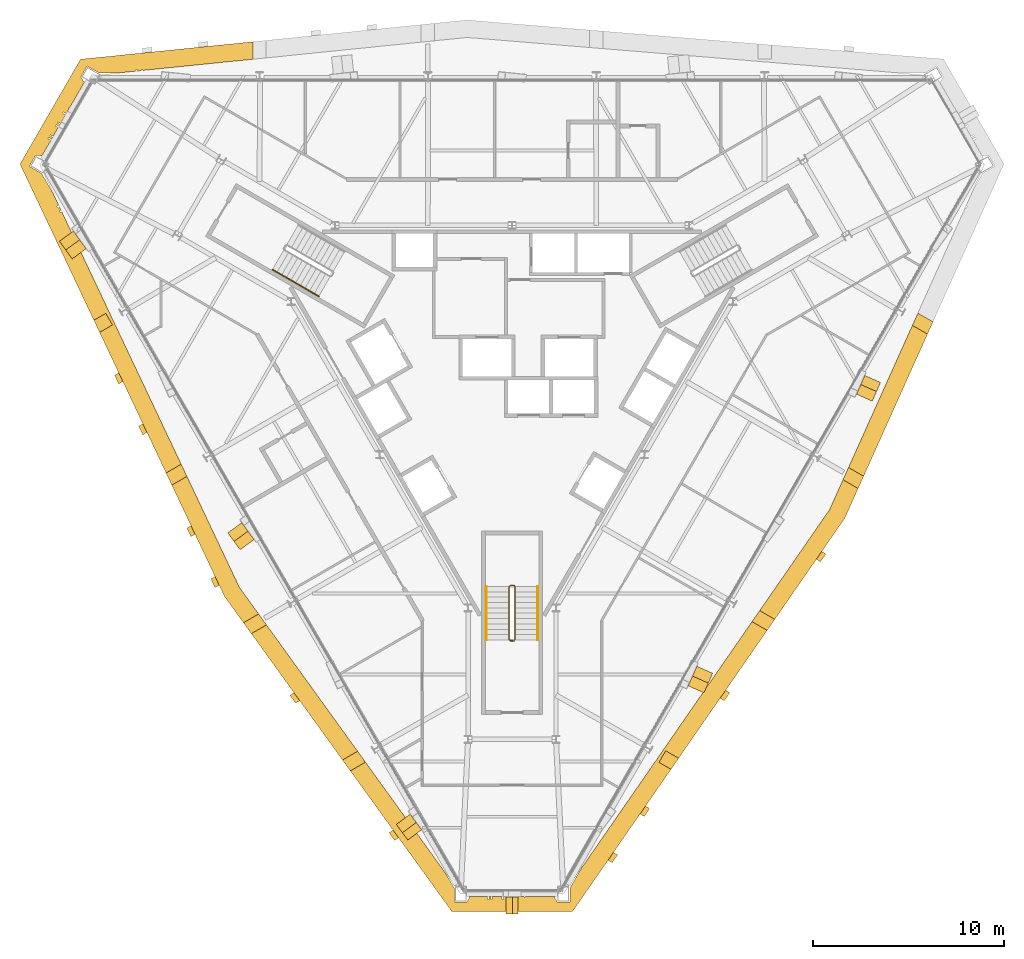
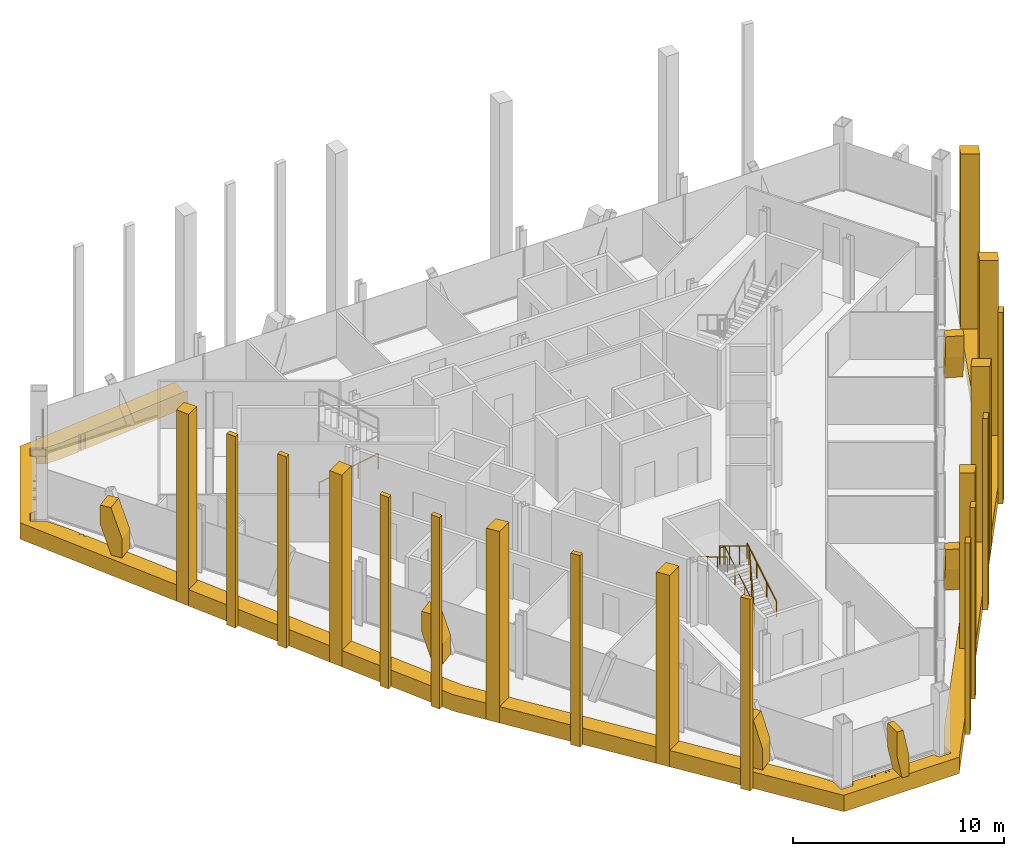
# One storey, part 13 of 14: 30 coverings, 4 railings.
"""IFC4 building model written with IfcOpenShell, lengths in metres."""

from ifc_helpers import new_model, si_unit, direction, frame, origin, origin_2d, place, context, subcontext, project, spatial, polyline, circle, outline, extrude, material, layer, layer_set, type_object, element, save


model = new_model("IFC4")

# Units and contexts
model_context = context("Model", 3, precision=1e-05, world=origin(), true_north=direction((0.0, 1.0)))
body_context = subcontext(model_context, "Body", "Model", "MODEL_VIEW")
ifc_project = project(units=[si_unit("LENGTHUNIT", "METRE"), si_unit("AREAUNIT", "SQUARE_METRE"), si_unit("VOLUMEUNIT", "CUBIC_METRE"), si_unit("PLANEANGLEUNIT", "RADIAN"), si_unit("MASSUNIT", "GRAM", prefix="KILO")], contexts=[model_context])

# Site, building, storey
site_placement = place(None, origin())
site = spatial("IfcSite", under=ifc_project, at=site_placement, CompositionType="ELEMENT")
building_placement = place(site_placement, origin())
building = spatial("IfcBuilding", under=site, at=building_placement, Name="Verrane Prism Tower", CompositionType="ELEMENT")
storey_placement = place(building_placement, frame((0.0, 0.0, 217.5)))
storey = spatial("IfcBuildingStorey", under=building, at=storey_placement, Name="L54", CompositionType="ELEMENT", Elevation=217.5)

# Railings
ifc_material_1 = material(Name="Steel A36 rail and posts, no infill", Category="steel")
railing_type_1 = type_object("IfcRailingType", Name="Stair guard 1100 steel rail and posts", PredefinedType="GUARDRAIL", material=ifc_material_1)
railing_1_placement = place(storey_placement, frame((0.14990234375, -13.699951171875, 0.168212890625)))
element("IfcRailing", 1, at=railing_1_placement, inside=storey, type_object=railing_type_1, Name="Stair 3 guard", PredefinedType="GUARDRAIL", context=body_context, shape_type="SweptSolid", body=[
    extrude(circle(Radius=0.02392578125, at=origin_2d()), frame((0.0, 0.0, 1.076171875), z_axis=(0.0, 0.857242210791, 0.514913383045), x_axis=(-1.0, 0.0, 0.0)), (0.0, 0.0, 1.0), 3.266357421875),
    extrude(circle(Radius=0.02392578125, at=origin_2d()), frame((0.0, 2.800048828125, 2.7578125), z_axis=(-0.707106781187, 0.707106781187, 0.0), x_axis=(-0.707106781187, -0.707106781187, 0.0)), (0.0, 0.0, 1.0), 0.0703125),
    extrude(circle(Radius=0.02392578125, at=origin_2d()), frame((-0.0498046875, 2.849853515625, 2.7578125), z_axis=(-1.0, 0.0, 0.0), x_axis=(0.0, -1.0, 0.0)), (0.0, 0.0, 1.0), 0.2001953125),
    extrude(circle(Radius=0.02392578125, at=origin_2d()), frame((-0.25, 2.849853515625, 2.7578125), z_axis=(-0.273443704961, -0.273443704961, 0.922202299083), x_axis=(0.707106781187, -0.707106781187, 0.0)), (0.0, 0.0, 1.0), 0.18212890625),
    extrude(circle(Radius=0.02392578125, at=origin_2d()), frame((-0.2998046875, 2.800048828125, 2.92578125), z_axis=(0.0, -0.857242210791, 0.514913383045), x_axis=(1.0, 0.0, 0.0)), (0.0, 0.0, 1.0), 3.266357421875),
    extrude(circle(Radius=0.02392578125, at=origin_2d()), frame((-0.2998046875, 0.0, 4.60791015625), z_axis=(0.067408604812, -0.013494886706, -0.997634185476), x_axis=(0.196300278283, 0.98054382908, 0.0)), (0.0, 0.0, 1.0), 3.708740234375),
    extrude(circle(Radius=0.02392578125, at=origin_2d()), frame((-0.0498046875, -0.050048828125, 0.90771484375), z_axis=(-1.0, 0.0, 0.0), x_axis=(0.0, -1.0, 0.0)), (0.0, 0.0, 1.0), 0.2001953125),
    extrude(circle(Radius=0.02099609375, at=origin_2d()), origin(), (0.0, 0.0, 1.0), 1.052001953125),
    extrude(circle(Radius=0.02099609375, at=origin_2d()), frame((0.0, 0.933349609375, 0.560546875)), (0.0, 0.0, 1.0), 1.052001953125),
    extrude(circle(Radius=0.02099609375, at=origin_2d()), frame((0.0, 1.86669921875, 1.121337890625)), (0.0, 0.0, 1.0), 1.052001953125),
    extrude(circle(Radius=0.02099609375, at=origin_2d()), frame((0.0, 2.800048828125, 1.681884765625)), (0.0, 0.0, 1.0), 1.052001953125),
    extrude(circle(Radius=0.02099609375, at=origin_2d()), frame((-0.0498046875, 2.849853515625, 1.681884765625)), (0.0, 0.0, 1.0), 1.052001953125),
    extrude(circle(Radius=0.02099609375, at=origin_2d()), frame((-0.25, 2.849853515625, 1.681884765625)), (0.0, 0.0, 1.0), 1.052001953125),
    extrude(circle(Radius=0.02099609375, at=origin_2d()), frame((-0.2998046875, 2.800048828125, 1.849853515625)), (0.0, 0.0, 1.0), 1.052001953125),
    extrude(circle(Radius=0.02099609375, at=origin_2d()), frame((-0.2998046875, 1.86669921875, 2.410400390625)), (0.0, 0.0, 1.0), 1.052001953125),
    extrude(circle(Radius=0.02099609375, at=origin_2d()), frame((-0.2998046875, 0.933349609375, 2.97119140625)), (0.0, 0.0, 1.0), 1.052001953125),
    extrude(circle(Radius=0.02099609375, at=origin_2d()), frame((-0.2998046875, 0.0, 3.53173828125)), (0.0, 0.0, 1.0), 1.052001953125),
    extrude(circle(Radius=0.02099609375, at=origin_2d()), frame((-0.2373046875, -0.012451171875, 2.606689453125)), (0.0, 0.0, 1.0), 1.052001953125),
    extrude(circle(Radius=0.02099609375, at=origin_2d()), frame((-0.1748046875, -0.02490234375, 1.681640625)), (0.0, 0.0, 1.0), 1.052001953125),
    extrude(circle(Radius=0.02099609375, at=origin_2d()), frame((-0.1123046875, -0.03759765625, 0.7568359375)), (0.0, 0.0, 1.0), 1.052001953125),
    extrude(circle(Radius=0.02099609375, at=origin_2d()), frame((-0.0498046875, -0.050048828125, -0.168212890625)), (0.0, 0.0, 1.0), 1.052001953125),
    extrude(circle(Radius=0.02099609375, at=origin_2d()), frame((-0.25, -0.050048828125, -0.168212890625)), (0.0, 0.0, 1.0), 1.052001953125),
])
ifc_material_2 = material(Name="Steel A36 tube", Category="steel")
railing_type_2 = type_object("IfcRailingType", Name="Stair handrail 900 steel tube", PredefinedType="HANDRAIL", material=ifc_material_2)
railing_2_placement = place(storey_placement, frame((-12.53955078125, 5.680908203125, 0.168212890625)))
element("IfcRailing", 2, at=railing_2_placement, inside=storey, type_object=railing_type_2, Name="Stair 2 handrail", PredefinedType="HANDRAIL", context=body_context, shape_type="SweptSolid", body=[
    extrude(circle(Radius=0.02392578125, at=origin_2d()), frame((0.0, 0.0, 0.8759765625), z_axis=(0.742366697286, -0.42866220388, 0.514917859203), x_axis=(0.500049511043, 0.865996816683, 0.0)), (0.0, 0.0, 1.0), 3.266357421875),
    extrude(circle(Radius=0.02099609375, at=origin_2d()), origin(), (0.0, 0.0, 1.0), 0.851806640625),
    extrude(circle(Radius=0.02099609375, at=origin_2d()), frame((0.808349609375, -0.466796875, 0.560546875)), (0.0, 0.0, 1.0), 0.851806640625),
    extrude(circle(Radius=0.02099609375, at=origin_2d()), frame((1.616455078125, -0.933349609375, 1.121337890625)), (0.0, 0.0, 1.0), 0.851806640625),
    extrude(circle(Radius=0.02099609375, at=origin_2d()), frame((2.4248046875, -1.400146484375, 1.681884765625)), (0.0, 0.0, 1.0), 0.851806640625),
])
railing_3_placement = place(storey_placement, frame((1.35009765625, -13.699951171875, 0.168212890625)))
element("IfcRailing", 3, at=railing_3_placement, inside=storey, type_object=railing_type_2, Name="Stair 3 handrail", PredefinedType="HANDRAIL", context=body_context, shape_type="SweptSolid", body=[
    extrude(circle(Radius=0.02392578125, at=origin_2d()), frame((0.0, 0.0, 0.8759765625), z_axis=(0.0, 0.857242210791, 0.514913383045), x_axis=(-1.0, 0.0, 0.0)), (0.0, 0.0, 1.0), 3.266357421875),
    extrude(circle(Radius=0.02099609375, at=origin_2d()), origin(), (0.0, 0.0, 1.0), 0.851806640625),
    extrude(circle(Radius=0.02099609375, at=origin_2d()), frame((0.0, 0.933349609375, 0.560546875)), (0.0, 0.0, 1.0), 0.851806640625),
    extrude(circle(Radius=0.02099609375, at=origin_2d()), frame((0.0, 1.86669921875, 1.121337890625)), (0.0, 0.0, 1.0), 0.851806640625),
    extrude(circle(Radius=0.02099609375, at=origin_2d()), frame((0.0, 2.800048828125, 1.681884765625)), (0.0, 0.0, 1.0), 0.851806640625),
])
railing_4_placement = place(storey_placement, frame((-1.35009765625, -10.89990234375, 2.01806640625)))
element("IfcRailing", 4, at=railing_4_placement, inside=storey, type_object=railing_type_2, Name="Stair 3 handrail", PredefinedType="HANDRAIL", context=body_context, shape_type="SweptSolid", body=[
    extrude(circle(Radius=0.02392578125, at=origin_2d()), frame((0.0, 0.0, 0.8759765625), z_axis=(0.0, -0.857242210791, 0.514913383045), x_axis=(1.0, 0.0, 0.0)), (0.0, 0.0, 1.0), 3.266357421875),
    extrude(circle(Radius=0.02099609375, at=origin_2d()), origin(), (0.0, 0.0, 1.0), 0.851806640625),
    extrude(circle(Radius=0.02099609375, at=origin_2d()), frame((0.0, -0.933349609375, 0.560546875)), (0.0, 0.0, 1.0), 0.851806640625),
    extrude(circle(Radius=0.02099609375, at=origin_2d()), frame((0.0, -1.86669921875, 1.121337890625)), (0.0, 0.0, 1.0), 0.851806640625),
    extrude(circle(Radius=0.02099609375, at=origin_2d()), frame((0.0, -2.800048828125, 1.681884765625)), (0.0, 0.0, 1.0), 0.851806640625),
])

# Coverings
ifc_material_3 = material(Name="Warm limestone cladding", Category="masonry")
ifc_layer_1 = layer(ifc_material_3, 0.89990234375)
ifc_layer_set_1 = layer_set([ifc_layer_1], Name="Stone brace fin 900")
covering_type_1 = type_object("IfcCoveringType", Name="Stone brace fin 900", PredefinedType="CLADDING", material=ifc_layer_set_1)
covering_1_placement = place(storey_placement, frame((-22.654052734375, 6.50830078125, 0.0), z_axis=(0.0, 0.0, 1.0), x_axis=(-0.584988808164, 0.811041364126, 0.0)))
element("IfcCovering", 5, at=covering_1_placement, inside=storey, type_object=covering_type_1, Name="Stone brace fin SW1 L54", PredefinedType="CLADDING", context=body_context, shape_type="SweptSolid", body=[
    extrude(outline(polyline([(1.137451171875, 2.75), (0.577880859375, 2.75), (0.0, 1.12548828125), (0.0, 0.0), (0.5546875, 0.0), (1.137451171875, 1.63720703125), (1.137451171875, 2.75)])), frame((0.0, 0.449951171875, 0.0), z_axis=(0.0, -1.0, 0.0), x_axis=(1.0, 0.0, 0.0)), (0.0, 0.0, 1.0), 0.89990234375),
])
covering_2_placement = place(storey_placement, frame((-13.86767578125, -8.7109375, 0.0), z_axis=(0.0, 0.0, 1.0), x_axis=(-0.588304694585, 0.808639342556, 0.0)))
element("IfcCovering", 6, at=covering_2_placement, inside=storey, type_object=covering_type_1, Name="Stone brace fin SW3 L54", PredefinedType="CLADDING", context=body_context, shape_type="SweptSolid", body=[
    extrude(outline(polyline([(1.09130859375, 2.75), (0.53759765625, 2.75), (0.0, 1.17578125), (0.0, 0.0), (0.549560546875, 0.0), (1.09130859375, 1.5869140625), (1.09130859375, 2.75)])), frame((0.0, 0.449951171875, 0.0), z_axis=(0.0, -1.0, 0.0), x_axis=(1.0, 0.0, 0.0)), (0.0, 0.0, 1.0), 0.89990234375),
])
covering_3_placement = place(storey_placement, frame((-5.09375, -23.898681640625, 0.0), z_axis=(0.0, 0.0, 1.0), x_axis=(-0.595354564069, 0.803463093765, 0.0)))
element("IfcCovering", 7, at=covering_3_placement, inside=storey, type_object=covering_type_1, Name="Stone brace fin SW5 L54", PredefinedType="CLADDING", context=body_context, shape_type="SweptSolid", body=[
    extrude(outline(polyline([(1.01123046875, 2.75), (0.472900390625, 2.75), (0.0, 1.22998046875), (0.0, 0.0), (0.55078125, 0.0), (1.01123046875, 1.4794921875), (1.01123046875, 2.75)])), frame((0.0, 0.449951171875, 0.0), z_axis=(0.0, -1.0, 0.0), x_axis=(1.0, 0.0, 0.0)), (0.0, 0.0, 1.0), 0.89990234375),
])
covering_4_placement = place(storey_placement, frame((10.0849609375, -15.26318359375, 0.0), z_axis=(0.0, 0.0, 1.0), x_axis=(-0.408169187969, -0.912906300774, 0.0)))
element("IfcCovering", 8, at=covering_4_placement, inside=storey, type_object=covering_type_1, Name="Stone brace fin SE2 L54", PredefinedType="CLADDING", context=body_context, shape_type="SweptSolid", body=[
    extrude(outline(polyline([(1.114990234375, 2.75), (0.55810546875, 2.75), (0.0, 1.149658203125), (0.0, 0.0), (0.55224609375, 0.0), (1.114990234375, 1.61328125), (1.114990234375, 2.75)])), frame((0.0, 0.449951171875, 0.0), z_axis=(0.0, -1.0, 0.0), x_axis=(1.0, 0.0, 0.0)), (0.0, 0.0, 1.0), 0.89990234375),
])
covering_5_placement = place(storey_placement, frame((18.87158203125, -0.043701171875, 0.0), z_axis=(0.0, 0.0, 1.0), x_axis=(-0.404421535526, -0.914572698916, 0.0)))
element("IfcCovering", 9, at=covering_5_placement, inside=storey, type_object=covering_type_1, Name="Stone brace fin SE4 L54", PredefinedType="CLADDING", context=body_context, shape_type="SweptSolid", body=[
    extrude(outline(polyline([(1.069091796875, 2.75), (0.517822265625, 2.75), (0.0, 1.201904296875), (0.0, 0.0), (0.547119140625, 0.0), (1.069091796875, 1.56103515625), (1.069091796875, 2.75)])), frame((0.0, 0.449951171875, 0.0), z_axis=(0.0, -1.0, 0.0), x_axis=(1.0, 0.0, 0.0)), (0.0, 0.0, 1.0), 0.89990234375),
])
covering_6_placement = place(storey_placement, frame((0.32275390625, -27.59228515625, 0.0), z_axis=(0.0, 0.0, 1.0), x_axis=(-1.0, 0.0, 0.0)))
element("IfcCovering", 10, at=covering_6_placement, inside=storey, type_object=covering_type_1, Name="Stone brace fin S1 L54", PredefinedType="CLADDING", context=body_context, shape_type="SweptSolid", body=[
    extrude(outline(polyline([(0.6455078125, 2.75), (0.31005859375, 2.75), (0.0, 1.25732421875), (0.0, 0.0), (0.362060546875, 0.0), (0.6455078125, 1.365478515625), (0.6455078125, 2.75)])), frame((0.0, 0.449951171875, 0.0), z_axis=(0.0, -1.0, 0.0), x_axis=(1.0, 0.0, 0.0)), (0.0, 0.0, 1.0), 0.89990234375),
])
ifc_material_4 = material(Name="Warm limestone cladding", Category="masonry")
covering_type_2 = type_object("IfcCoveringType", Name="Stone mullion pier 500", PredefinedType="CLADDING", material=ifc_material_4)
covering_7_placement = place(storey_placement, frame((0.0, 0.0, -0.949951171875)))
element("IfcCovering", 11, at=covering_7_placement, inside=storey, type_object=covering_type_2, Name="Stone pier SM-SW1.1 L54-L56", PredefinedType="CLADDING", context=body_context, shape_type="SweptSolid", body=[
    extrude(outline(polyline([(-20.3671875, -0.177490234375), (-20.581787109375, 0.27587890625), (-20.798828125, 0.150634765625), (-20.58447265625, -0.302978515625), (-20.3671875, -0.177490234375)])), origin(), (0.0, 0.0, 1.0), 11.099853515625),
])
covering_8_placement = place(storey_placement, frame((0.0, 0.0, -0.949951171875)))
element("IfcCovering", 12, at=covering_8_placement, inside=storey, type_object=covering_type_2, Name="Stone pier SM-SW1.2 L54-L56", PredefinedType="CLADDING", context=body_context, shape_type="SweptSolid", body=[
    extrude(outline(polyline([(-19.107421875, -2.841552734375), (-19.32177734375, -2.38818359375), (-19.5390625, -2.513427734375), (-19.324462890625, -2.967041015625), (-19.107421875, -2.841552734375)])), origin(), (0.0, 0.0, 1.0), 11.099853515625),
])
covering_9_placement = place(storey_placement, frame((0.0, 0.0, -0.949951171875)))
element("IfcCovering", 13, at=covering_9_placement, inside=storey, type_object=covering_type_2, Name="Stone pier SM-SW2.1 L54-L56", PredefinedType="CLADDING", context=body_context, shape_type="SweptSolid", body=[
    extrude(outline(polyline([(-16.587646484375, -8.169921875), (-16.802001953125, -7.71630859375), (-17.019287109375, -7.841796875), (-16.8046875, -8.295166015625), (-16.587646484375, -8.169921875)])), origin(), (0.0, 0.0, 1.0), 11.099853515625),
])
covering_10_placement = place(storey_placement, frame((0.0, 0.0, -0.949951171875)))
element("IfcCovering", 14, at=covering_10_placement, inside=storey, type_object=covering_type_2, Name="Stone pier SM-SW2.2 L54-L56", PredefinedType="CLADDING", context=body_context, shape_type="SweptSolid", body=[
    extrude(outline(polyline([(-15.32763671875, -10.833984375), (-15.542236328125, -10.38037109375), (-15.759521484375, -10.505859375), (-15.544921875, -10.959228515625), (-15.32763671875, -10.833984375)])), origin(), (0.0, 0.0, 1.0), 11.099853515625),
])
covering_11_placement = place(storey_placement, frame((0.0, 0.0, -0.949951171875)))
element("IfcCovering", 15, at=covering_11_placement, inside=storey, type_object=covering_type_2, Name="Stone pier SM-SW3.1 L54-L56", PredefinedType="CLADDING", context=body_context, shape_type="SweptSolid", body=[
    extrude(outline(polyline([(-11.11181640625, -16.87841796875), (-11.40576171875, -16.470947265625), (-11.623291015625, -16.596435546875), (-11.329345703125, -17.004150390625), (-11.11181640625, -16.87841796875)])), origin(), (0.0, 0.0, 1.0), 11.099853515625),
])
covering_12_placement = place(storey_placement, frame((0.0, 0.0, -0.949951171875)))
element("IfcCovering", 16, at=covering_12_placement, inside=storey, type_object=covering_type_2, Name="Stone pier SM-SW4.1 L54-L56", PredefinedType="CLADDING", context=body_context, shape_type="SweptSolid", body=[
    extrude(outline(polyline([(-5.9306640625, -24.0615234375), (-6.224609375, -23.654052734375), (-6.442138671875, -23.77978515625), (-6.148193359375, -24.187255859375), (-5.9306640625, -24.0615234375)])), origin(), (0.0, 0.0, 1.0), 11.099853515625),
])
covering_13_placement = place(storey_placement, frame((0.0, 0.0, -0.949951171875)))
element("IfcCovering", 17, at=covering_13_placement, inside=storey, type_object=covering_type_2, Name="Stone pier SM-SE0.1 L54-L56", PredefinedType="CLADDING", context=body_context, shape_type="SweptSolid", body=[
    extrude(outline(polyline([(5.3056640625, -24.819091796875), (5.02001953125, -25.231689453125), (5.2373046875, -25.357177734375), (5.522705078125, -24.944580078125), (5.3056640625, -24.819091796875)])), origin(), (0.0, 0.0, 1.0), 11.099853515625),
])
covering_14_placement = place(storey_placement, frame((0.0, 0.0, -0.949951171875)))
element("IfcCovering", 18, at=covering_14_placement, inside=storey, type_object=covering_type_2, Name="Stone pier SM-SE0.2 L54-L56", PredefinedType="CLADDING", context=body_context, shape_type="SweptSolid", body=[
    extrude(outline(polyline([(6.98291015625, -22.39599609375), (6.697265625, -22.80859375), (6.91455078125, -22.93408203125), (7.199951171875, -22.521484375), (6.98291015625, -22.39599609375)])), origin(), (0.0, 0.0, 1.0), 11.099853515625),
])
covering_15_placement = place(storey_placement, frame((0.0, 0.0, -0.949951171875)))
element("IfcCovering", 19, at=covering_15_placement, inside=storey, type_object=covering_type_2, Name="Stone pier SM-SE1.1 L54-L56", PredefinedType="CLADDING", context=body_context, shape_type="SweptSolid", body=[
    extrude(outline(polyline([(11.17578125, -16.338134765625), (10.890380859375, -16.750732421875), (11.107666015625, -16.876220703125), (11.39306640625, -16.463623046875), (11.17578125, -16.338134765625)])), origin(), (0.0, 0.0, 1.0), 11.099853515625),
])
covering_16_placement = place(storey_placement, frame((0.0, 0.0, -0.949951171875)))
element("IfcCovering", 20, at=covering_16_placement, inside=storey, type_object=covering_type_2, Name="Stone pier SM-SE2.1 L54-L56", PredefinedType="CLADDING", context=body_context, shape_type="SweptSolid", body=[
    extrude(outline(polyline([(16.20751953125, -9.06884765625), (15.922119140625, -9.481201171875), (16.139404296875, -9.606689453125), (16.4248046875, -9.194091796875), (16.20751953125, -9.06884765625)])), origin(), (0.0, 0.0, 1.0), 11.099853515625),
])
ifc_material_5 = material(Name="Warm limestone cladding", Category="masonry")
covering_type_3 = type_object("IfcCoveringType", Name="Stone pier 700", PredefinedType="CLADDING", material=ifc_material_5)
covering_17_placement = place(storey_placement, frame((0.0, 0.0, -0.949951171875)))
element("IfcCovering", 21, at=covering_17_placement, inside=storey, type_object=covering_type_3, Name="Stone pier PC-SW1 L54-L56", PredefinedType="CLADDING", context=body_context, shape_type="SweptSolid", body=[
    extrude(outline(polyline([(-20.910400390625, 2.784912109375), (-21.01318359375, 2.96337890625), (-21.26025390625, 3.39111328125), (-21.884521484375, 3.031005859375), (-21.584228515625, 2.39599609375), (-20.910400390625, 2.784912109375)])), origin(), (0.0, 0.0, 1.0), 11.099853515625),
])
covering_18_placement = place(storey_placement, frame((0.0, 0.0, -0.949951171875)))
element("IfcCovering", 22, at=covering_18_placement, inside=storey, type_object=covering_type_3, Name="Stone pier PC-SW2 L54-L56", PredefinedType="CLADDING", context=body_context, shape_type="SweptSolid", body=[
    extrude(outline(polyline([(-17.804443359375, -5.596435546875), (-17.013916015625, -5.139892578125), (-17.314208984375, -4.5048828125), (-18.104736328125, -4.96142578125), (-17.804443359375, -5.596435546875)])), origin(), (0.0, 0.0, 1.0), 11.099853515625),
])
covering_19_placement = place(storey_placement, frame((0.0, 0.0, -0.949951171875)))
element("IfcCovering", 23, at=covering_19_placement, inside=storey, type_object=covering_type_3, Name="Stone pier PC-SW3 L54-L56", PredefinedType="CLADDING", context=body_context, shape_type="SweptSolid", body=[
    extrude(outline(polyline([(-13.6435546875, -13.368408203125), (-12.851806640625, -12.9111328125), (-13.26318359375, -12.340576171875), (-14.05517578125, -12.7978515625), (-13.6435546875, -13.368408203125)])), origin(), (0.0, 0.0, 1.0), 11.099853515625),
])
covering_20_placement = place(storey_placement, frame((0.0, 0.0, -0.949951171875)))
element("IfcCovering", 24, at=covering_20_placement, inside=storey, type_object=covering_type_3, Name="Stone pier PC-SW4 L54-L56", PredefinedType="CLADDING", context=body_context, shape_type="SweptSolid", body=[
    extrude(outline(polyline([(-7.689453125, -20.10546875), (-7.787353515625, -19.93603515625), (-7.798095703125, -19.917236328125), (-8.08203125, -19.523681640625), (-8.8740234375, -19.98095703125), (-8.46240234375, -20.551513671875), (-7.689453125, -20.10546875)])), origin(), (0.0, 0.0, 1.0), 11.099853515625),
])
covering_21_placement = place(storey_placement, frame((0.0, 0.0, -0.949951171875)))
element("IfcCovering", 25, at=covering_21_placement, inside=storey, type_object=covering_type_3, Name="Stone pier PC-SE1 L54-L56", PredefinedType="CLADDING", context=body_context, shape_type="SweptSolid", body=[
    extrude(outline(polyline([(8.03955078125, -19.499267578125), (7.845947265625, -19.834716796875), (7.689453125, -20.10546875), (8.3173828125, -20.468017578125), (8.717041015625, -19.890380859375), (8.03955078125, -19.499267578125)])), origin(), (0.0, 0.0, 1.0), 11.099853515625),
])
covering_22_placement = place(storey_placement, frame((0.0, 0.0, -0.949951171875)))
element("IfcCovering", 26, at=covering_22_placement, inside=storey, type_object=covering_type_3, Name="Stone pier PC-SE2 L54-L56", PredefinedType="CLADDING", context=body_context, shape_type="SweptSolid", body=[
    extrude(outline(polyline([(13.748779296875, -12.62109375), (12.958251953125, -12.16455078125), (12.55859375, -12.741943359375), (13.34912109375, -13.198486328125), (13.748779296875, -12.62109375)])), origin(), (0.0, 0.0, 1.0), 11.099853515625),
])
covering_23_placement = place(storey_placement, frame((0.0, 0.0, -0.949951171875)))
element("IfcCovering", 27, at=covering_23_placement, inside=storey, type_object=covering_type_3, Name="Stone pier PC-SE3 L54-L56", PredefinedType="CLADDING", context=body_context, shape_type="SweptSolid", body=[
    extrude(outline(polyline([(18.3994140625, -5.131591796875), (17.607421875, -4.67431640625), (17.31884765625, -5.31591796875), (18.11083984375, -5.773193359375), (18.3994140625, -5.131591796875)])), origin(), (0.0, 0.0, 1.0), 11.099853515625),
])
covering_24_placement = place(storey_placement, frame((0.0, 0.0, -0.949951171875)))
element("IfcCovering", 28, at=covering_24_placement, inside=storey, type_object=covering_type_3, Name="Stone pier PC-SE4 L54-L56", PredefinedType="CLADDING", context=body_context, shape_type="SweptSolid", body=[
    extrude(outline(polyline([(21.26025390625, 3.39111328125), (21.13037109375, 3.166015625), (20.94921875, 2.7626953125), (21.740966796875, 2.305419921875), (22.029296875, 2.947265625), (21.26025390625, 3.39111328125)])), origin(), (0.0, 0.0, 1.0), 11.099853515625),
])
ifc_material_6 = material(Name="Warm limestone cladding", Category="masonry")
ifc_layer_2 = layer(ifc_material_6, 0.449951171875)
ifc_layer_set_2 = layer_set([ifc_layer_2], Name="Stone spandrel band 450")
covering_type_4 = type_object("IfcCoveringType", Name="Stone spandrel band 450", PredefinedType="CLADDING", material=ifc_layer_set_2)
covering_25_placement = place(storey_placement, frame((0.0, 0.0, -0.949951171875)))
element("IfcCovering", 29, at=covering_25_placement, inside=storey, type_object=covering_type_4, Name="Stone spandrel band L54 part 1", PredefinedType="CLADDING", context=body_context, shape_type="SweptSolid", body=[
    extrude(outline(polyline([(-7.689453125, -20.10546875), (-8.46240234375, -20.551513671875), (-3.160400390625, -27.90185546875), (3.171630859375, -27.90185546875), (8.3173828125, -20.468017578125), (7.689453125, -20.10546875), (8.03955078125, -19.499267578125), (8.717041015625, -19.890380859375), (13.34912109375, -13.198486328125), (12.55859375, -12.741943359375), (3.623291015625, -25.651123046875), (3.02001953125, -26.69580078125), (3.02001953125, -27.419921875), (2.360107421875, -27.419921875), (2.360107421875, -27.39794921875), (2.251953125, -27.208740234375), (2.251953125, -27.12548828125), (0.7041015625, -27.12548828125), (0.67578125, -27.164794921875), (0.62109375, -27.12548828125), (0.32275390625, -27.12548828125), (0.32275390625, -27.2900390625), (0.251708984375, -27.2900390625), (0.251708984375, -27.12548828125), (-0.278076171875, -27.12548828125), (-0.278076171875, -27.2900390625), (-0.32275390625, -27.2900390625), (-0.32275390625, -27.12548828125), (-0.44580078125, -27.12548828125), (-0.44580078125, -27.2900390625), (-0.51708984375, -27.2900390625), (-0.51708984375, -27.12548828125), (-1.046630859375, -27.12548828125), (-1.046630859375, -27.2900390625), (-1.09130859375, -27.2900390625), (-1.09130859375, -27.12548828125), (-1.21435546875, -27.12548828125), (-1.21435546875, -27.2900390625), (-1.285400390625, -27.2900390625), (-1.285400390625, -27.12548828125), (-2.251953125, -27.12548828125), (-2.251953125, -27.208740234375), (-2.360107421875, -27.39794921875), (-2.360107421875, -27.419921875), (-3.02001953125, -27.419921875), (-3.02001953125, -26.69580078125), (-3.466552734375, -25.922607421875), (-7.7548828125, -19.977294921875), (-7.76123046875, -19.981201171875), (-7.689453125, -20.10546875)])), origin(), (0.0, 0.0, 1.0), 0.949951171875),
])
covering_26_placement = place(storey_placement, frame((0.0, 0.0, -0.949951171875)))
element("IfcCovering", 30, at=covering_26_placement, inside=storey, type_object=covering_type_4, Name="Stone spandrel band L54 part 3", PredefinedType="CLADDING", context=body_context, shape_type="SweptSolid", body=[
    extrude(outline(polyline([(-17.314208984375, -4.5048828125), (-23.15478515625, 7.845458984375), (-23.19091796875, 7.90771484375), (-23.185791015625, 7.91064453125), (-23.5576171875, 8.697021484375), (-23.6240234375, 8.658935546875), (-23.679931640625, 8.755859375), (-23.605712890625, 8.798583984375), (-23.67919921875, 8.9541015625), (-23.765625, 8.904296875), (-23.8193359375, 8.997802734375), (-23.725341796875, 9.0517578125), (-24.026123046875, 9.687744140625), (-24.624267578125, 10.7236328125), (-25.25732421875, 11.089111328125), (-24.927490234375, 11.660888671875), (-24.908447265625, 11.64990234375), (-24.689453125, 11.64990234375), (-24.619140625, 11.609130859375), (-24.135498046875, 12.447021484375), (-24.277587890625, 12.52880859375), (-24.2421875, 12.590576171875), (-24.099853515625, 12.5087890625), (-24.038330078125, 12.615478515625), (-24.1806640625, 12.697265625), (-24.158203125, 12.736083984375), (-24.015869140625, 12.654296875), (-23.75048828125, 13.11376953125), (-23.893310546875, 13.196044921875), (-23.85791015625, 13.2578125), (-23.71484375, 13.175537109375), (-23.6533203125, 13.2822265625), (-23.79638671875, 13.364501953125), (-23.77392578125, 13.4033203125), (-23.630859375, 13.321044921875), (-23.365478515625, 13.780517578125), (-23.509033203125, 13.86328125), (-23.4736328125, 13.9248046875), (-23.330078125, 13.84228515625), (-23.181396484375, 14.099609375), (-23.188232421875, 14.168701171875), (-23.138916015625, 14.17333984375), (-22.363525390625, 15.516357421875), (-22.4375, 15.55908203125), (-22.54833984375, 15.748291015625), (-22.5673828125, 15.75927734375), (-22.2373046875, 16.330810546875), (-21.60107421875, 15.96337890625), (-20.71630859375, 15.96337890625), (-19.706298828125, 16.06591796875), (-19.706298828125, 16.1298828125), (-19.598388671875, 16.1298828125), (-19.598388671875, 16.076904296875), (-19.42724609375, 16.094482421875), (-19.42724609375, 16.1298828125), (-19.315185546875, 16.1298828125), (-19.315185546875, 16.105712890625), (-13.402099609375, 16.706787109375), (-13.40234375, 16.714111328125), (-13.56689453125, 16.714111328125), (-13.56689453125, 17.6044921875), (-22.58349609375, 16.68798828125), (-25.749755859375, 11.2041015625), (-21.884521484375, 3.031005859375), (-21.26025390625, 3.39111328125), (-20.910400390625, 2.784912109375), (-21.584228515625, 2.39599609375), (-18.104736328125, -4.96142578125), (-17.314208984375, -4.5048828125)])), origin(), (0.0, 0.0, 1.0), 0.949951171875),
])
covering_27_placement = place(storey_placement, frame((0.0, 0.0, -0.949951171875)))
element("IfcCovering", 31, at=covering_27_placement, inside=storey, type_object=covering_type_4, Name="Stone spandrel band L54 part 4", PredefinedType="CLADDING", context=body_context, shape_type="SweptSolid", body=[
    extrude(outline(polyline([(-14.05517578125, -12.7978515625), (-13.26318359375, -12.340576171875), (-14.266357421875, -10.949951171875), (-17.013916015625, -5.139892578125), (-17.804443359375, -5.596435546875), (-15.052978515625, -11.414306640625), (-14.05517578125, -12.7978515625)])), origin(), (0.0, 0.0, 1.0), 0.949951171875),
])
covering_28_placement = place(storey_placement, frame((0.0, 0.0, -0.949951171875)))
element("IfcCovering", 32, at=covering_28_placement, inside=storey, type_object=covering_type_4, Name="Stone spandrel band L54 part 5", PredefinedType="CLADDING", context=body_context, shape_type="SweptSolid", body=[
    extrude(outline(polyline([(-8.08203125, -19.523681640625), (-12.851806640625, -12.9111328125), (-13.6435546875, -13.368408203125), (-8.8740234375, -19.98095703125), (-8.08203125, -19.523681640625)])), origin(), (0.0, 0.0, 1.0), 0.949951171875),
])
covering_29_placement = place(storey_placement, frame((0.0, 0.0, -0.949951171875)))
element("IfcCovering", 33, at=covering_29_placement, inside=storey, type_object=covering_type_4, Name="Stone spandrel band L54 part 6", PredefinedType="CLADDING", context=body_context, shape_type="SweptSolid", body=[
    extrude(outline(polyline([(18.11083984375, -5.773193359375), (17.31884765625, -5.31591796875), (16.6162109375, -6.880126953125), (12.958251953125, -12.16455078125), (13.748779296875, -12.62109375), (17.41162109375, -7.3291015625), (18.11083984375, -5.773193359375)])), origin(), (0.0, 0.0, 1.0), 0.949951171875),
])
covering_30_placement = place(storey_placement, frame((0.0, 0.0, -0.949951171875)))
element("IfcCovering", 34, at=covering_30_placement, inside=storey, type_object=covering_type_4, Name="Stone spandrel band L54 part 7", PredefinedType="CLADDING", context=body_context, shape_type="SweptSolid", body=[
    extrude(outline(polyline([(21.740966796875, 2.305419921875), (20.94921875, 2.7626953125), (17.607421875, -4.67431640625), (18.3994140625, -5.131591796875), (21.740966796875, 2.305419921875)])), origin(), (0.0, 0.0, 1.0), 0.949951171875),
])

save(model, "model.ifc")
